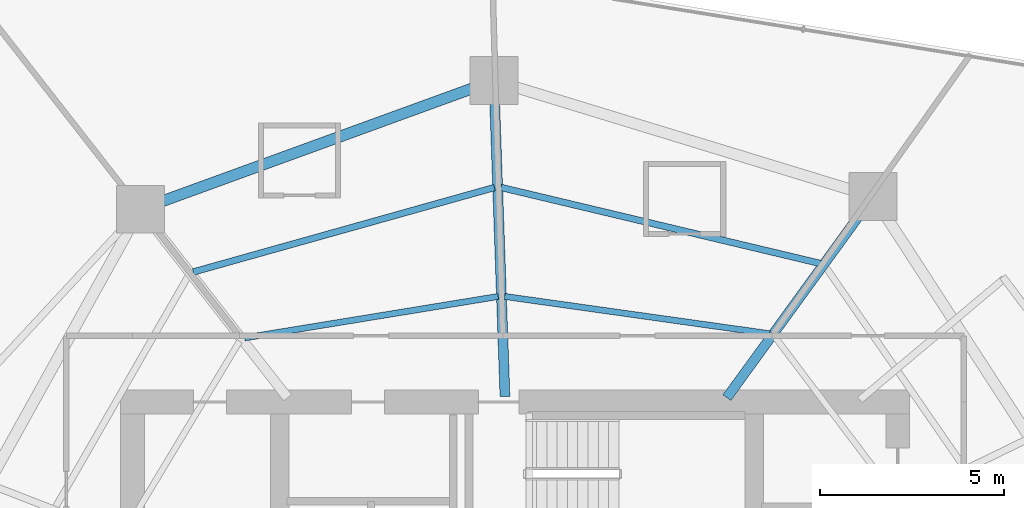
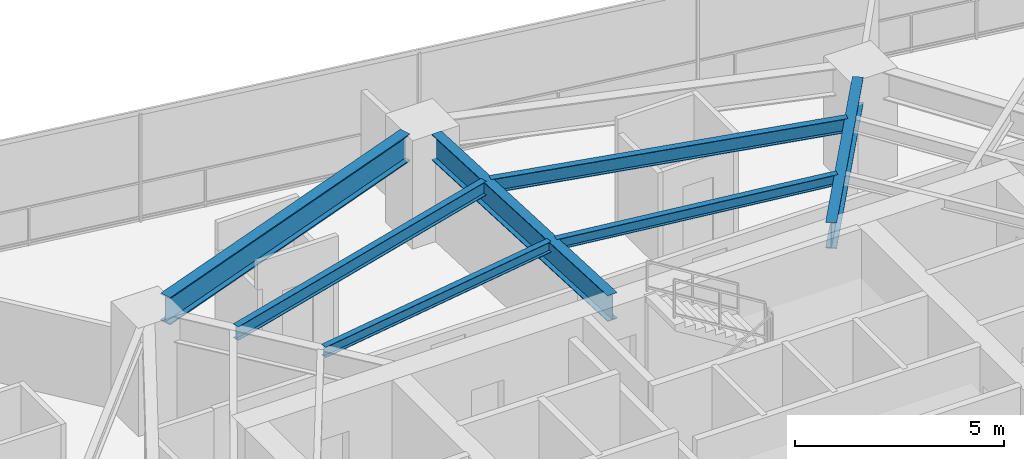
# One storey, part 18 of 31: 7 beams.
"""IFC4 building model written with IfcOpenShell, lengths in metres."""

from ifc_helpers import new_model, si_unit, direction, frame, origin, origin_2d, place, context, subcontext, project, spatial, i_section, extrude, material, material_profile, profile_set, type_object, element, save


model = new_model("IFC4")

# Units and contexts
model_context = context("Model", 3, precision=1e-05, world=origin(), true_north=direction((0.0, 1.0)))
body_context = subcontext(model_context, "Body", "Model", "MODEL_VIEW")
ifc_project = project(units=[si_unit("LENGTHUNIT", "METRE"), si_unit("AREAUNIT", "SQUARE_METRE"), si_unit("VOLUMEUNIT", "CUBIC_METRE"), si_unit("PLANEANGLEUNIT", "RADIAN"), si_unit("MASSUNIT", "GRAM", prefix="KILO")], contexts=[model_context])

# Site, building, storey
site_placement = place(None, origin())
site = spatial("IfcSite", under=ifc_project, at=site_placement, CompositionType="ELEMENT")
building_placement = place(site_placement, origin())
building = spatial("IfcBuilding", under=site, at=building_placement, Name="Qarnah Convention Tower", CompositionType="ELEMENT")
storey_placement = place(building_placement, frame((0.0, 0.0, 33.89990234375)))
storey = spatial("IfcBuildingStorey", under=building, at=storey_placement, Name="L07", CompositionType="ELEMENT", Elevation=33.89990234375)

# Beams
ifc_material = material(Name="Structural steel S355JR", Category="steel")
ifc_material_profile_1 = material_profile(ifc_material, i_section(OverallWidth=0.166015625, OverallDepth=0.31201171875, WebThickness=0.007080078125, FlangeThickness=0.010986328125, at=origin_2d()), Name="W310X45")
ifc_profile_set_1 = profile_set([ifc_material_profile_1], Name="Structural steel S355JR")
beam_type_1 = type_object("IfcBeamType", Name="BM-JST-W310", PredefinedType="JOIST", material=ifc_profile_set_1)
beam_1_placement = place(storey_placement, frame((44.117919921875, 36.056884765625, 3.01416015625), z_axis=(-0.990232771612, 0.139424022414, 0.0), x_axis=(-0.139424022414, -0.990232771612, 0.0)))
element("IfcBeam", 1, at=beam_1_placement, inside=storey, type_object=beam_type_1, Name="L07 joist BM-L07-IJST-02", PredefinedType="JOIST", context=body_context, shape_type="SweptSolid", body=[
    extrude(i_section(OverallWidth=0.166015625, OverallDepth=0.31201171875, WebThickness=0.007080078125, FlangeThickness=0.010986328125, at=origin_2d()), origin(), (0.0, 0.0, 1.0), 7.27392578125),
])
beam_2_placement = place(storey_placement, frame((36.737060546875, 37.070068359375, 3.01416015625), z_axis=(-0.986919717952, -0.161212500503, 0.0), x_axis=(0.161212500503, -0.986919717952, 0.0)))
element("IfcBeam", 2, at=beam_2_placement, inside=storey, type_object=beam_type_1, Name="L07 joist BM-L07-IJST-03", PredefinedType="JOIST", context=body_context, shape_type="SweptSolid", body=[
    extrude(i_section(OverallWidth=0.166015625, OverallDepth=0.31201171875, WebThickness=0.007080078125, FlangeThickness=0.010986328125, at=origin_2d()), origin(), (0.0, 0.0, 1.0), 6.984375),
])
ifc_material_profile_2 = material_profile(ifc_material, i_section(OverallWidth=0.177978515625, OverallDepth=0.407958984375, WebThickness=0.008056640625, FlangeThickness=0.012939453125, at=origin_2d()), Name="W410X60")
ifc_profile_set_2 = profile_set([ifc_material_profile_2], Name="Structural steel S355JR")
beam_type_2 = type_object("IfcBeamType", Name="BM-JST-W410", PredefinedType="JOIST", material=ifc_profile_set_2)
beam_3_placement = place(storey_placement, frame((45.5, 37.966064453125, 2.966064453125), z_axis=(-0.972805041554, 0.231625454401, 0.0), x_axis=(-0.231625454401, -0.972805041554, 0.0)))
element("IfcBeam", 3, at=beam_3_placement, inside=storey, type_object=beam_type_2, Name="L07 joist BM-L07-SJST-02", PredefinedType="JOIST", context=body_context, shape_type="SweptSolid", body=[
    extrude(i_section(OverallWidth=0.177978515625, OverallDepth=0.407958984375, WebThickness=0.008056640625, FlangeThickness=0.012939453125, at=origin_2d()), origin(), (0.0, 0.0, 1.0), 8.931884765625),
])
beam_4_placement = place(storey_placement, frame((36.635986328125, 40.031982421875, 2.966064453125), z_axis=(-0.962855992526, -0.270015439665, 0.0), x_axis=(0.270015439665, -0.962855992526, 0.0)))
element("IfcBeam", 4, at=beam_4_placement, inside=storey, type_object=beam_type_2, Name="L07 joist BM-L07-SJST-03", PredefinedType="JOIST", context=body_context, shape_type="SweptSolid", body=[
    extrude(i_section(OverallWidth=0.177978515625, OverallDepth=0.407958984375, WebThickness=0.008056640625, FlangeThickness=0.012939453125, at=origin_2d()), origin(), (0.0, 0.0, 1.0), 8.5029296875),
])
ifc_material_profile_3 = material_profile(ifc_material, i_section(OverallWidth=0.26806640625, OverallDepth=0.760009765625, WebThickness=0.014892578125, FlangeThickness=0.02197265625, at=origin_2d()), Name="W760X185")
ifc_profile_set_3 = profile_set([ifc_material_profile_3], Name="Structural steel S355JR")
beam_type_3 = type_object("IfcBeamType", Name="BM-RAD-W760", PredefinedType="BEAM", material=ifc_profile_set_3)
beam_5_placement = place(storey_placement, frame((42.955078125, 34.321044921875, 2.7900390625), z_axis=(0.587873224058, 0.808953071837, 0.0), x_axis=(-0.808953071837, 0.587873224058, 0.0)))
element("IfcBeam", 5, at=beam_5_placement, inside=storey, type_object=beam_type_3, Name="L07 beam BM-L07-RAD-02", PredefinedType="BEAM", context=body_context, shape_type="SweptSolid", body=[
    extrude(i_section(OverallWidth=0.26806640625, OverallDepth=0.760009765625, WebThickness=0.014892578125, FlangeThickness=0.02197265625, at=origin_2d()), origin(), (0.0, 0.0, 1.0), 6.12890625),
])
beam_6_placement = place(storey_placement, frame((36.922119140625, 34.35009765625, 2.7900390625), z_axis=(-0.034913066254, 0.999390353068, 0.0), x_axis=(-0.999390353068, -0.034913066254, 0.0)))
element("IfcBeam", 6, at=beam_6_placement, inside=storey, type_object=beam_type_3, Name="L07 beam BM-L07-RAD-03", PredefinedType="BEAM", context=body_context, shape_type="SweptSolid", body=[
    extrude(i_section(OverallWidth=0.26806640625, OverallDepth=0.760009765625, WebThickness=0.014892578125, FlangeThickness=0.02197265625, at=origin_2d()), origin(), (0.0, 0.0, 1.0), 7.96484375),
])
ifc_material_profile_4 = material_profile(ifc_material, i_section(OverallWidth=0.300048828125, OverallDepth=0.800048828125, WebThickness=0.01806640625, FlangeThickness=0.032958984375, at=origin_2d()), Name="HEB800")
ifc_profile_set_4 = profile_set([ifc_material_profile_4], Name="Structural steel S355JR")
beam_type_4 = type_object("IfcBeamType", Name="BM-RING-HEB800", PredefinedType="BEAM", material=ifc_profile_set_4)
beam_7_placement = place(storey_placement, frame((36.02099609375, 42.720947265625, 2.77001953125), z_axis=(-0.939712145037, -0.341966496121, 0.0), x_axis=(0.341966496121, -0.939712145037, 0.0)))
element("IfcBeam", 7, at=beam_7_placement, inside=storey, type_object=beam_type_4, Name="L07 beam BM-L07-SPN-03", PredefinedType="BEAM", context=body_context, shape_type="SweptSolid", body=[
    extrude(i_section(OverallWidth=0.300048828125, OverallDepth=0.800048828125, WebThickness=0.01806640625, FlangeThickness=0.032958984375, at=origin_2d()), origin(), (0.0, 0.0, 1.0), 8.948486328125),
])

save(model, "model.ifc")
